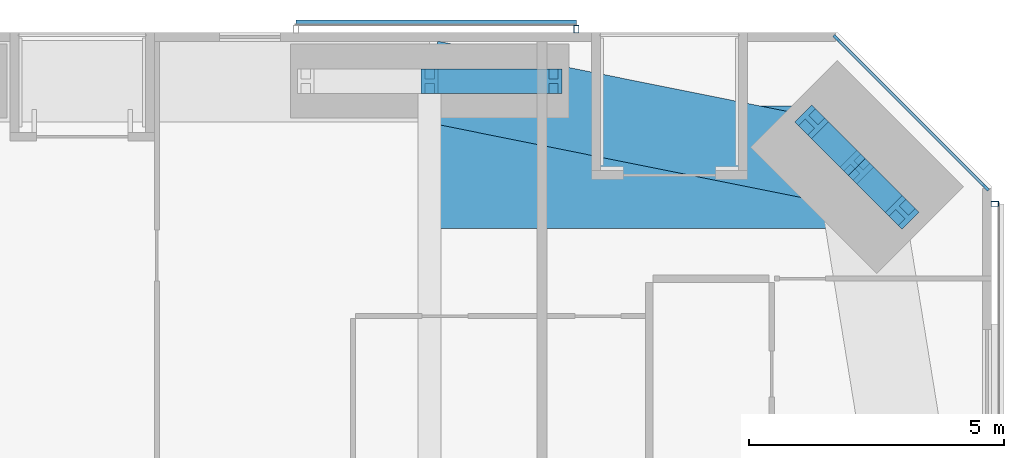
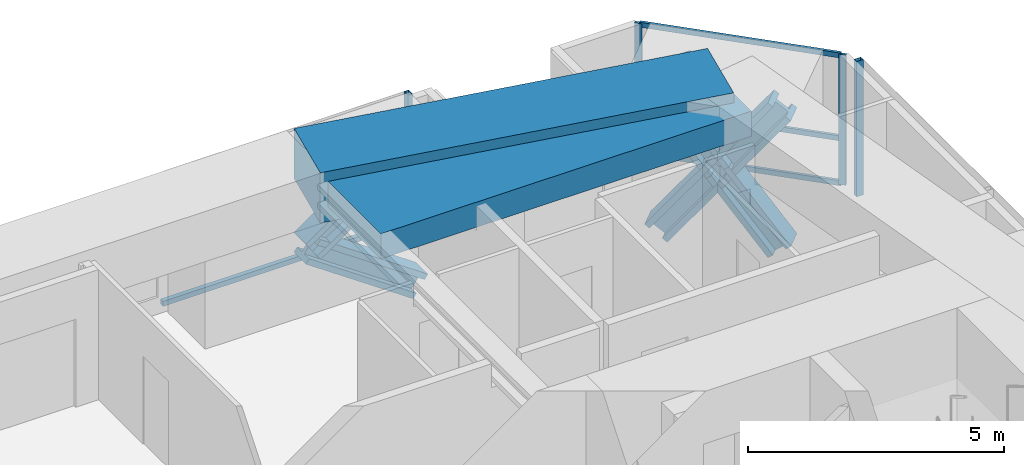
# One storey, part 14 of 23: 14 members, 2 beams, 3 elements without a shape of their own.
"""IFC4 building model written with IfcOpenShell, lengths in metres."""

from ifc_helpers import new_model, si_unit, direction, frame, origin, origin_2d, place, context, subcontext, project, spatial, rectangle, hollow_rectangle, i_section, extrude, material, material_profile, profile_set, type_object, element, aggregate, save


model = new_model("IFC4")

# Units and contexts
model_context = context("Model", 3, precision=1e-05, world=origin(), true_north=direction((0.0, 1.0)))
body_context = subcontext(model_context, "Body", "Model", "MODEL_VIEW")
ifc_project = project(units=[si_unit("LENGTHUNIT", "METRE"), si_unit("AREAUNIT", "SQUARE_METRE"), si_unit("VOLUMEUNIT", "CUBIC_METRE"), si_unit("PLANEANGLEUNIT", "RADIAN"), si_unit("MASSUNIT", "GRAM", prefix="KILO")], contexts=[model_context])

# Site, building, storey
site_placement = place(None, origin())
site = spatial("IfcSite", under=ifc_project, at=site_placement, CompositionType="ELEMENT")
building_placement = place(site_placement, origin())
building = spatial("IfcBuilding", under=site, at=building_placement, Name="Jalousie Tower", CompositionType="ELEMENT")
storey_placement = place(building_placement, frame((0.0, 0.0, 24.35009765625)))
storey = spatial("IfcBuildingStorey", under=building, at=storey_placement, Name="L05", CompositionType="ELEMENT", Elevation=24.35009765625)

# Curtain wall, members
ifc_material_1 = material(Name="Aluminium curtain wall", Category="aluminium")
curtain_wall_type_1 = type_object("IfcCurtainWallType", Name="CORNER WINDOW WALL", PredefinedType="USERDEFINED", material=ifc_material_1)
curtain_wall_1_placement = place(storey_placement, origin())
curtain_wall_1 = element("IfcCurtainWall", 1, at=curtain_wall_1_placement, inside=storey, type_object=curtain_wall_type_1, Name="Corner Window Wall L05 4", ObjectType="CORNER WINDOW WALL", PredefinedType="USERDEFINED")
ifc_material_2 = material(Name="Aluminium mullion", Category="aluminium")
ifc_material_profile_1 = material_profile(ifc_material_2, rectangle(XDim=0.06005859375, YDim=0.14990234375, at=origin_2d()), Name="MULLION 60x150")
ifc_profile_set_1 = profile_set([ifc_material_profile_1], Name="Aluminium mullion")
member_type_1 = type_object("IfcMemberType", Name="CORNER WINDOW WALL MULLION", PredefinedType="MULLION", material=ifc_profile_set_1)
member_1_placement = place(storey_placement, frame((45.891357421875, 34.969970703125, 0.0), z_axis=(0.0, 0.0, 1.0), x_axis=(-0.707106781187, -0.707106781187, 0.0)))
member_1 = element("IfcMember", 2, at=member_1_placement, type_object=member_type_1, Name="CW-C mullion 1", PredefinedType="MULLION", context=body_context, shape_type="SweptSolid", body=[
    extrude(rectangle(XDim=0.06005859375, YDim=0.14990234375, at=origin_2d()), origin(), (0.0, 0.0, 1.0), 3.10986328125),
])
member_2_placement = place(storey_placement, frame((42.969970703125, 37.891357421875, 0.0), z_axis=(0.0, 0.0, 1.0), x_axis=(-0.707106781187, -0.707106781187, 0.0)))
member_2 = element("IfcMember", 3, at=member_2_placement, type_object=member_type_1, Name="CW-C mullion 2", PredefinedType="MULLION", context=body_context, shape_type="SweptSolid", body=[
    extrude(rectangle(XDim=0.06005859375, YDim=0.14990234375, at=origin_2d()), origin(), (0.0, 0.0, 1.0), 3.10986328125),
])
ifc_material_3 = material(Name="Aluminium transom", Category="aluminium")
ifc_material_profile_2 = material_profile(ifc_material_3, rectangle(XDim=0.06005859375, YDim=0.1201171875, at=origin_2d()), Name="TRANSOM 60x120")
ifc_profile_set_2 = profile_set([ifc_material_profile_2], Name="Aluminium transom")
member_type_2 = type_object("IfcMemberType", Name="CORNER WINDOW WALL TRANSOM", PredefinedType="USERDEFINED", material=ifc_profile_set_2)
member_3_placement = place(storey_placement, frame((45.8701171875, 34.9912109375, 0.02978515625), z_axis=(-0.707106781187, 0.707106781187, 0.0), x_axis=(-0.707106781187, -0.707106781187, 0.0)))
member_3 = element("IfcMember", 4, at=member_3_placement, type_object=member_type_2, Name="CW-C transom 1.1", ObjectType="TRANSOM", PredefinedType="USERDEFINED", context=body_context, shape_type="SweptSolid", body=[
    extrude(rectangle(XDim=0.06005859375, YDim=0.1201171875, at=origin_2d()), origin(), (0.0, 0.0, 1.0), 4.0712890625),
])
member_4_placement = place(storey_placement, frame((45.8701171875, 34.9912109375, 1.099853515625), z_axis=(-0.707106781187, 0.707106781187, 0.0), x_axis=(-0.707106781187, -0.707106781187, 0.0)))
member_4 = element("IfcMember", 5, at=member_4_placement, type_object=member_type_2, Name="CW-C transom 1.2", ObjectType="TRANSOM", PredefinedType="USERDEFINED", context=body_context, shape_type="SweptSolid", body=[
    extrude(rectangle(XDim=0.06005859375, YDim=0.1201171875, at=origin_2d()), origin(), (0.0, 0.0, 1.0), 4.0712890625),
])
member_5_placement = place(storey_placement, frame((45.8701171875, 34.9912109375, 3.079833984375), z_axis=(-0.707106781187, 0.707106781187, 0.0), x_axis=(-0.707106781187, -0.707106781187, 0.0)))
member_5 = element("IfcMember", 6, at=member_5_placement, type_object=member_type_2, Name="CW-C transom 1.3", ObjectType="TRANSOM", PredefinedType="USERDEFINED", context=body_context, shape_type="SweptSolid", body=[
    extrude(rectangle(XDim=0.06005859375, YDim=0.1201171875, at=origin_2d()), origin(), (0.0, 0.0, 1.0), 4.0712890625),
])
aggregate(curtain_wall_1, [member_1, member_2, member_3, member_4, member_5])

# Members
ifc_material_4 = material(Name="Steel ASTM A992 Grade 50", Category="steel")
ifc_material_profile_3 = material_profile(ifc_material_4, i_section(OverallWidth=0.472412109375, OverallDepth=0.5791015625, WebThickness=0.094970703125, FlangeThickness=0.1298828125, at=origin_2d()), Name="W14X808")
ifc_profile_set_3 = profile_set([ifc_material_profile_3], Name="Steel ASTM A992 Grade 50")
member_type_3 = type_object("IfcMemberType", Name="PERIMETER BRACE W14X808", PredefinedType="BRACE", material=ifc_profile_set_3)
for number, where, z_axis, x_axis, name in (
    (7, (44.25244140625, 34.484619140625, -0.60009765625), (-0.422851718556, 0.422968528423, 0.801432497518), (-0.707204427637, -0.70700912125, 0.0), "Perimeter brace 08 L05 part 1"),
    (8, (43.36865234375, 35.36865234375, 1.074951171875), (-0.422968528423, 0.422851718556, 0.801432497518), (-0.70700912125, -0.707204427637, 0.0), "Perimeter brace 08 L05 part 2"),
    (9, (42.484619140625, 36.25244140625, -0.60009765625), (0.422968528423, -0.422851718556, 0.801432497518), (0.70700912125, 0.707204427637, 0.0), "Perimeter brace 08 L05 part 3"),
    (10, (43.36865234375, 35.36865234375, 1.074951171875), (0.422851718556, -0.422968528423, 0.801432497518), (0.707204427637, 0.70700912125, 0.0), "Perimeter brace 08 L05 part 4"),
):
    element("IfcMember", number, at=place(storey_placement, frame(where, z_axis=z_axis, x_axis=x_axis)), inside=storey, type_object=member_type_3, Name=name, PredefinedType="BRACE", context=body_context, shape_type="SweptSolid", body=[
        extrude(i_section(OverallWidth=0.472412109375, OverallDepth=0.5791015625, WebThickness=0.094970703125, FlangeThickness=0.1298828125, at=origin_2d()), origin(), (0.0, 0.0, 1.0), 2.090087890625),
    ])
for number, where, z_axis, x_axis, name in (
    (11, (35.0, 37.050048828125, 1.074951171875), (0.822800062329, 0.0, 0.568330940062), (0.0, 1.0, 0.0), "Perimeter brace 09 L05 part 2"),
    (12, (37.425048828125, 37.050048828125, -0.60009765625), (-0.822800062329, 0.0, 0.568330940062), (0.0, -1.0, 0.0), "Perimeter brace 09 L05 part 3"),
):
    element("IfcMember", number, at=place(storey_placement, frame(where, z_axis=z_axis, x_axis=x_axis)), inside=storey, type_object=member_type_3, Name=name, PredefinedType="BRACE", context=body_context, shape_type="SweptSolid", body=[
        extrude(i_section(OverallWidth=0.472412109375, OverallDepth=0.5791015625, WebThickness=0.094970703125, FlangeThickness=0.1298828125, at=origin_2d()), origin(), (0.0, 0.0, 1.0), 2.947265625),
    ])

# Beams
ifc_material_5 = material(Name="Concrete f'c 40 MPa", Category="concrete")
ifc_material_profile_4 = material_profile(ifc_material_5, rectangle(XDim=1.60009765625, YDim=1.199951171875, at=origin_2d()), Name="RC 1600x1200")
ifc_profile_set_4 = profile_set([ifc_material_profile_4], Name="Concrete f'c 40 MPa")
beam_type_1 = type_object("IfcBeamType", Name="RC BEAM 1600x1200", PredefinedType="BEAM", material=ifc_profile_set_4)
beam_1_placement = place(storey_placement, frame((43.36865234375, 35.36865234375, 2.75), z_axis=(-0.980407585444, 0.196979609107, 0.0), x_axis=(-0.196979609107, -0.980407585444, 0.0)))
element("IfcBeam", 13, at=beam_1_placement, inside=storey, type_object=beam_type_1, Name="Edge band beam 08-09 under L06", PredefinedType="BEAM", context=body_context, shape_type="SweptSolid", body=[
    extrude(rectangle(XDim=1.60009765625, YDim=1.199951171875, at=origin_2d()), origin(), (0.0, 0.0, 1.0), 8.535888671875),
])
ifc_material_6 = material(Name="Concrete f'c 40 MPa", Category="concrete")
ifc_material_profile_5 = material_profile(ifc_material_6, rectangle(XDim=2.39990234375, YDim=0.60009765625, at=origin_2d()), Name="RC 2400x600")
ifc_profile_set_5 = profile_set([ifc_material_profile_5], Name="Concrete f'c 40 MPa")
beam_type_2 = type_object("IfcBeamType", Name="RC BEAM 2400x600", PredefinedType="BEAM", material=ifc_profile_set_5)
beam_2_placement = place(storey_placement, frame((43.36865234375, 35.36865234375, 2.809814453125), z_axis=(-1.0, 0.0, 0.0), x_axis=(0.0, -1.0, 0.0)))
element("IfcBeam", 14, at=beam_2_placement, inside=storey, type_object=beam_type_2, Name="Floor band beam under L06", PredefinedType="BEAM", context=body_context, shape_type="SweptSolid", body=[
    extrude(rectangle(XDim=2.39990234375, YDim=0.60009765625, at=origin_2d()), origin(), (0.0, 0.0, 1.0), 8.36865234375),
])

# Curtain wall, member
ifc_material_7 = material(Name="Perforated aluminium sheet", Category="aluminium")
curtain_wall_type_2 = type_object("IfcCurtainWallType", Name="SOLAR SCREEN SS-1", PredefinedType="USERDEFINED", material=ifc_material_7)
curtain_wall_2_placement = place(storey_placement, origin())
curtain_wall_2 = element("IfcCurtainWall", 15, at=curtain_wall_2_placement, inside=storey, type_object=curtain_wall_type_2, Name="Solar screen L05", ObjectType="SOLAR SCREEN SS-1", PredefinedType="USERDEFINED")
ifc_material_8 = material(Name="Steel ASTM A500 Grade C", Category="steel")
ifc_material_profile_6 = material_profile(ifc_material_8, hollow_rectangle(XDim=0.1015625, YDim=0.15234375, WallThickness=0.00634765625, at=origin_2d()), Name="HSS6X4X1/4")
ifc_profile_set_6 = profile_set([ifc_material_profile_6], Name="Steel ASTM A500 Grade C")
member_type_4 = type_object("IfcMemberType", Name="SOLAR SCREEN SS-1 MULLION", PredefinedType="MULLION", material=ifc_profile_set_6)
member_6_placement = place(storey_placement, frame((46.0712890625, 34.648681640625, -0.1201171875), z_axis=(0.0, 0.0, 1.0), x_axis=(0.0, 1.0, 0.0)))
member_6 = element("IfcMember", 16, at=member_6_placement, type_object=member_type_4, Name="SS1 post 4", PredefinedType="MULLION", context=body_context, shape_type="SweptSolid", body=[
    extrude(hollow_rectangle(XDim=0.1015625, YDim=0.15234375, WallThickness=0.00634765625, at=origin_2d()), origin(), (0.0, 0.0, 1.0), 3.22998046875),
])
aggregate(curtain_wall_2, [member_6])

# Curtain wall, members
curtain_wall_3_placement = place(storey_placement, origin())
curtain_wall_3 = element("IfcCurtainWall", 17, at=curtain_wall_3_placement, inside=storey, type_object=curtain_wall_type_2, Name="Solar screen L05", ObjectType="SOLAR SCREEN SS-1", PredefinedType="USERDEFINED")
member_7_placement = place(storey_placement, frame((37.873779296875, 38.0712890625, -0.1201171875), z_axis=(0.0, 0.0, 1.0), x_axis=(-1.0, 0.0, 0.0)))
member_7 = element("IfcMember", 18, at=member_7_placement, type_object=member_type_4, Name="SS1 post 1", PredefinedType="MULLION", context=body_context, shape_type="SweptSolid", body=[
    extrude(hollow_rectangle(XDim=0.1015625, YDim=0.15234375, WallThickness=0.00634765625, at=origin_2d()), origin(), (0.0, 0.0, 1.0), 3.22998046875),
])
ifc_material_9 = material(Name="Extruded aluminium screen rail", Category="aluminium")
ifc_material_profile_7 = material_profile(ifc_material_9, rectangle(XDim=0.1015625, YDim=0.1201171875, at=origin_2d()), Name="RAIL 102x120")
ifc_profile_set_7 = profile_set([ifc_material_profile_7], Name="Extruded aluminium screen rail")
member_type_5 = type_object("IfcMemberType", Name="SOLAR SCREEN SS-1 TRANSOM", PredefinedType="USERDEFINED", material=ifc_profile_set_7)
member_8_placement = place(storey_placement, frame((37.873779296875, 38.1982421875, -0.06005859375), z_axis=(-1.0, 0.0, 0.0), x_axis=(0.0, -1.0, 0.0)))
member_8 = element("IfcMember", 19, at=member_8_placement, type_object=member_type_5, Name="SS1 rail", ObjectType="TRANSOM", PredefinedType="USERDEFINED", context=body_context, shape_type="SweptSolid", body=[
    extrude(rectangle(XDim=0.1015625, YDim=0.1201171875, at=origin_2d()), origin(), (0.0, 0.0, 1.0), 5.491943359375),
])
aggregate(curtain_wall_3, [member_7, member_8])

save(model, "model.ifc")
